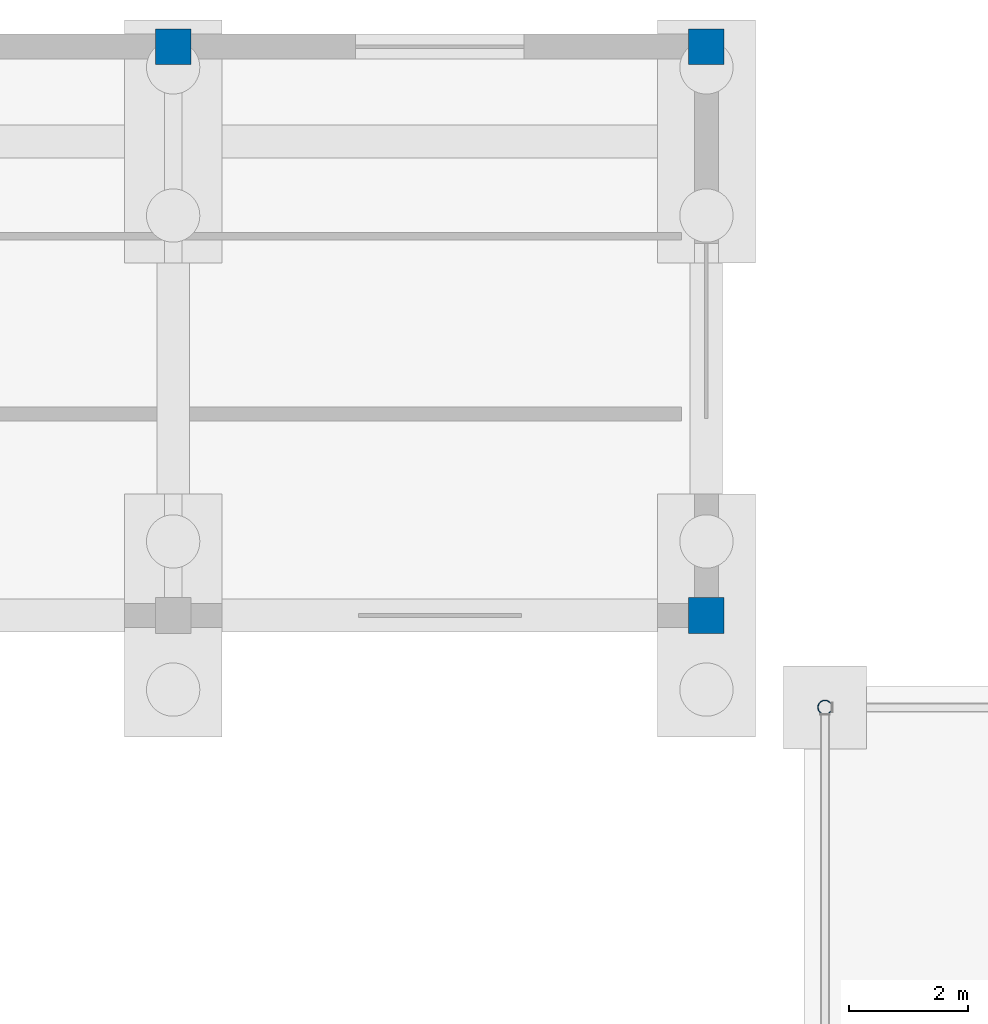
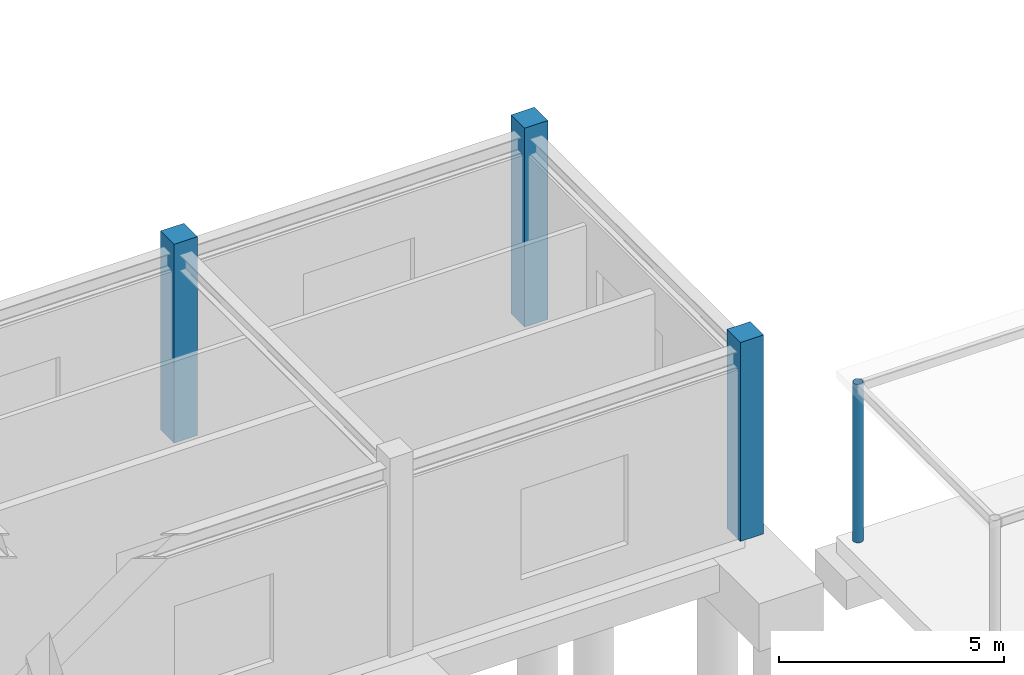
# One storey, part 17 of 76: 4 columns.
"""IFC4 building model written with IfcOpenShell, lengths in metres."""

from ifc_helpers import new_model, si_unit, direction, frame, origin, origin_2d, place, context, subcontext, project, spatial, rectangle, hollow_circle, extrude, material, material_profile, profile_set, type_object, element, save


model = new_model("IFC4")

# Units and contexts
model_context = context("Model", 3, precision=1e-05, world=origin(), true_north=direction((0.0, 1.0)))
body_context = subcontext(model_context, "Body", "Model", "MODEL_VIEW")
ifc_project = project(units=[si_unit("LENGTHUNIT", "METRE"), si_unit("AREAUNIT", "SQUARE_METRE"), si_unit("VOLUMEUNIT", "CUBIC_METRE"), si_unit("PLANEANGLEUNIT", "RADIAN"), si_unit("MASSUNIT", "GRAM", prefix="KILO")], contexts=[model_context])

# Site, building, storey
site_placement = place(None, origin())
site = spatial("IfcSite", under=ifc_project, at=site_placement, CompositionType="ELEMENT")
building_placement = place(site_placement, origin())
building = spatial("IfcBuilding", under=site, at=building_placement, Name="Bozkorgan Art Gallery", CompositionType="ELEMENT")
storey_placement = place(building_placement, origin())
storey = spatial("IfcBuildingStorey", under=building, at=storey_placement, Name="L00", CompositionType="ELEMENT", Elevation=0.0)

# Columns
ifc_material_1 = material(Name="Concrete C40/50", Category="concrete")
ifc_material_profile_1 = material_profile(ifc_material_1, rectangle(XDim=0.60009765625, YDim=0.60009765625, at=origin_2d()), Name="RC 600x600")
ifc_profile_set_1 = profile_set([ifc_material_profile_1], Name="Concrete C40/50")
column_type_1 = type_object("IfcColumnType", Name="COLUMN-C-24", PredefinedType="COLUMN", material=ifc_profile_set_1)
for number, where, z_axis, x_axis, name in (
    (1, (38.0, 112.39990234375, 0.0), (0.0, 0.0, 1.0), (1.0, 0.0, 0.0), "V2 L00 column (38.0, 112.4)"),
    (2, (47.0, 102.800048828125, 0.0), (0.0, 0.0, 1.0), (1.0, 0.0, 0.0), "V2 L00 column (47.0, 102.8)"),
    (3, (47.0, 112.39990234375, 0.0), (0.0, 0.0, 1.0), (1.0, 0.0, 0.0), "V2 L00 column (47.0, 112.4)"),
):
    element("IfcColumn", number, at=place(storey_placement, frame(where, z_axis=z_axis, x_axis=x_axis)), inside=storey, type_object=column_type_1, Name=name, PredefinedType="COLUMN", context=body_context, shape_type="SweptSolid", body=[
        extrude(rectangle(XDim=0.60009765625, YDim=0.60009765625, at=origin_2d()), origin(), (0.0, 0.0, 1.0), 5.39990234375),
    ])
ifc_material_2 = material(Name="Steel S355J2", Category="steel")
ifc_material_profile_2 = material_profile(ifc_material_2, hollow_circle(Radius=0.122314453125, WallThickness=0.010009765625, at=origin_2d()), Name="CHS 244.5x10")
ifc_profile_set_2 = profile_set([ifc_material_profile_2], Name="Steel S355J2")
column_type_2 = type_object("IfcColumnType", Name="COLUMN-WC-87", PredefinedType="COLUMN", material=ifc_profile_set_2)
column_placement = place(storey_placement, frame((49.0, 101.25, 0.0), z_axis=(0.0, 0.0, 1.0), x_axis=(1.0, 0.0, 0.0)))
element("IfcColumn", 4, at=column_placement, inside=storey, type_object=column_type_2, Name="North Sculpture-Court Covered Walk column 4", PredefinedType="COLUMN", context=body_context, shape_type="SweptSolid", body=[
    extrude(hollow_circle(Radius=0.122314453125, WallThickness=0.010009765625, at=origin_2d()), origin(), (0.0, 0.0, 1.0), 4.300048828125),
])

save(model, "model.ifc")
